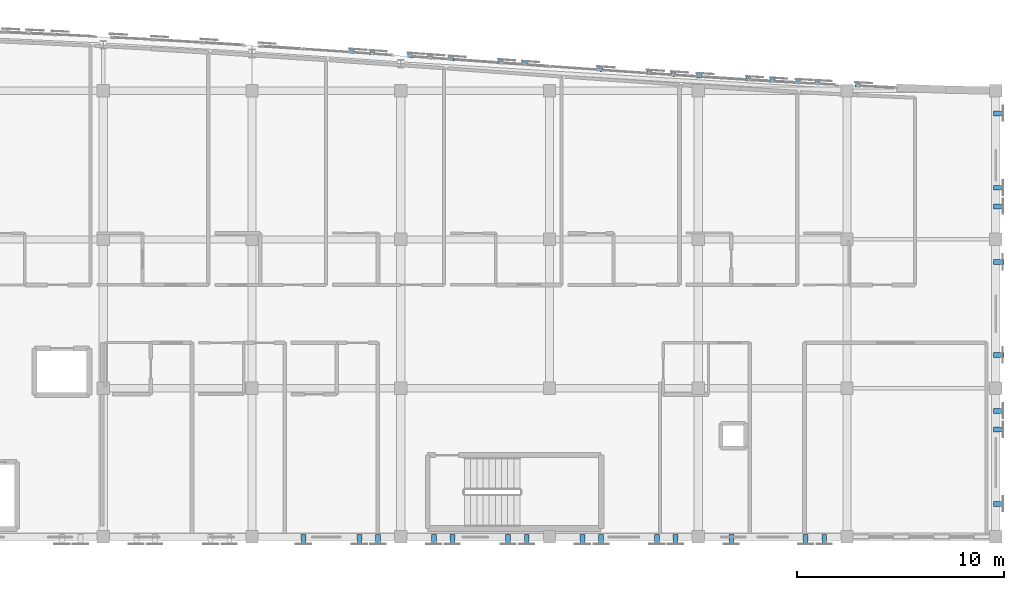
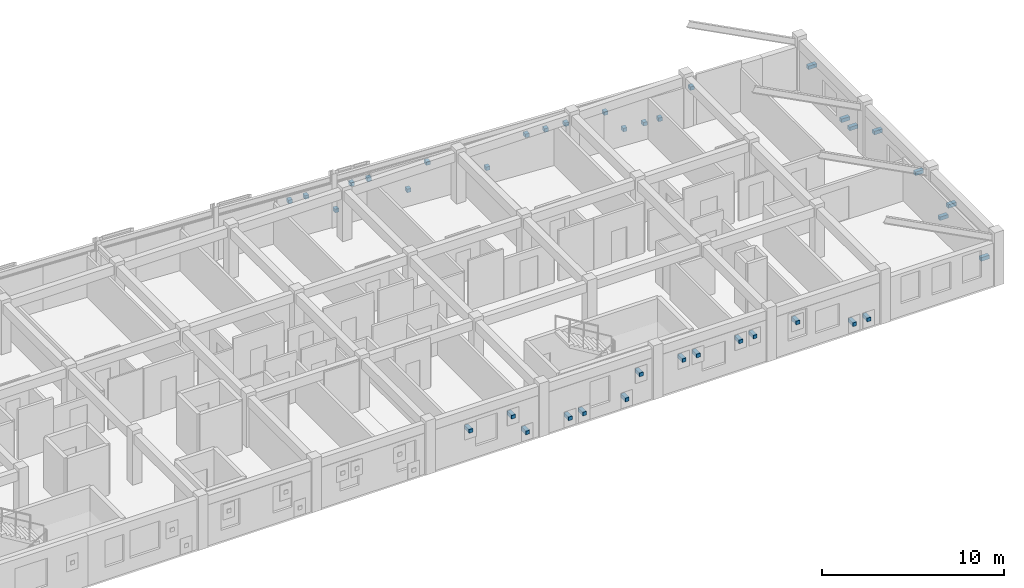
# One storey, part 49 of 51: 38 discrete accessories.
"""IFC4 building model written with IfcOpenShell, lengths in metres."""

import ifcopenshell
import ifcopenshell.guid

model = None  # the IFC model being written
_history = None  # IfcOwnerHistory: only IFC2X3 demands one
_inside = {}  # id of a spatial element -> (the spatial element, [elements in it])
_under = {}  # id of a project, library or spatial element -> (it, [spatial elements below it])
_declared = {}  # id of a project -> (the project, [libraries it declares])
_typed = {}  # id of a type object -> (the type object, [elements of that type])
_made_of = {}  # id of a material, layer set ... -> (it, [elements and type objects made of it])


def new_model(schema):
    """Start an empty IFC model of exactly this schema.

    Asked for "IFC4X3", IfcOpenShell would pick the latest addendum, in which some entities
    have other attributes; the version numbers below select the first issue.
    IFC2X3 requires an IfcOwnerHistory on every rooted entity: one is made here for all.
    """
    global model, _history
    if schema == "IFC4X3":
        model = ifcopenshell.file(schema_version=(4, 3, 0, 0))
    else:
        model = ifcopenshell.file(schema=schema)
    _inside.clear()
    _under.clear()
    _declared.clear()
    _typed.clear()
    _made_of.clear()
    _history = None
    if model.schema == "IFC2X3":
        org = make("IfcOrganization", Name="unknown")
        user = make(
            "IfcPersonAndOrganization",
            ThePerson=make("IfcPerson", FamilyName="unknown"),
            TheOrganization=org,
        )
        app = make(
            "IfcApplication",
            ApplicationDeveloper=org,
            Version="unknown",
            ApplicationFullName="unknown",
            ApplicationIdentifier="unknown",
        )
        _history = make(
            "IfcOwnerHistory",
            OwningUser=user,
            OwningApplication=app,
            ChangeAction="ADDED",
            CreationDate=0,
        )
    return model


def make(cls, **values):
    """One entity of the class cls with the attributes given. An attribute that is None is left unset."""
    return model.create_entity(
        cls, **{name: value for name, value in values.items() if value is not None}
    )


def rooted(cls, **values):
    """An entity with a GlobalId (a new one), such as an element, a storey or a relation."""
    return make(cls, GlobalId=ifcopenshell.guid.new(), OwnerHistory=_history, **values)


def si_unit(unit_type, name, prefix=None):
    """IfcSIUnit, for example si_unit("LENGTHUNIT", "METRE", prefix="MILLI")."""
    return make("IfcSIUnit", UnitType=unit_type, Prefix=prefix, Name=name)


def assignment(units):
    """IfcUnitAssignment: the units of a project."""
    return None if units is None else make("IfcUnitAssignment", Units=units)


def point(xyz):
    """IfcCartesianPoint."""
    return None if xyz is None else make("IfcCartesianPoint", Coordinates=xyz)


def direction(xyz):
    """IfcDirection."""
    return None if xyz is None else make("IfcDirection", DirectionRatios=xyz)


def frame(location, z_axis=None, x_axis=None):
    """IfcAxis2Placement3D, a coordinate frame: its origin and axes. An axis left out is left unset."""
    return make(
        "IfcAxis2Placement3D",
        Location=point(location),
        Axis=direction(z_axis),
        RefDirection=direction(x_axis),
    )


def frame_2d(location, x_axis=None):
    """IfcAxis2Placement2D, a coordinate frame in the plane: its origin and x axis."""
    return make(
        "IfcAxis2Placement2D", Location=point(location), RefDirection=direction(x_axis)
    )


def origin():
    """The frame at (0, 0, 0) with its axes left unset."""
    return frame((0.0, 0.0, 0.0))


def origin_2d():
    """The frame at (0, 0) in the plane with its x axis left unset."""
    return frame_2d((0.0, 0.0))


def place(relative_to, where):
    """IfcLocalPlacement: puts the frame where relative to a parent placement (None: the world)."""
    return make(
        "IfcLocalPlacement", PlacementRelTo=relative_to, RelativePlacement=where
    )


def context(
    kind, dimensions, precision=None, world=None, true_north=None, identifier=None
):
    """IfcGeometricRepresentationContext, for example the 3D "Model" context."""
    return make(
        "IfcGeometricRepresentationContext",
        ContextIdentifier=identifier,
        ContextType=kind,
        CoordinateSpaceDimension=dimensions,
        Precision=precision,
        WorldCoordinateSystem=world,
        TrueNorth=true_north,
    )


def subcontext(parent, identifier, kind, view, scale=None):
    """IfcGeometricRepresentationSubContext, for example "Body" below "Model"."""
    return make(
        "IfcGeometricRepresentationSubContext",
        ContextIdentifier=identifier,
        ContextType=kind,
        ParentContext=parent,
        TargetScale=scale,
        TargetView=view,
    )


def project(units=None, contexts=None):
    """IfcProject with its units and contexts."""
    return rooted(
        "IfcProject",
        Name="project",
        RepresentationContexts=contexts,
        UnitsInContext=assignment(units),
    )


def spatial(cls, under=None, at=None, **own):
    """A site, building, storey or space (cls), placed at a placement, below another one or the project."""
    s = rooted(cls, ObjectPlacement=at, **own)
    if under is not None:
        _under.setdefault(under.id(), (under, []))[1].append(s)
    return s


def profile(cls, at=None, kind="AREA", **sizes):
    """A parametric profile (cls). Its sizes go by their IFC names, for example OverallWidth=200.0."""
    return make(cls, ProfileType=kind, Position=at, **sizes)


def rectangle(**sizes):
    """IfcRectangleProfileDef."""
    return profile("IfcRectangleProfileDef", **sizes)


def extrude(swept, where, along, depth):
    """IfcExtrudedAreaSolid: the profile swept, set in the frame where, extruded along a direction by depth."""
    return make(
        "IfcExtrudedAreaSolid",
        SweptArea=swept,
        Position=where,
        ExtrudedDirection=direction(along),
        Depth=depth,
    )


def shape(context_of_items, identifier, shape_type, items):
    """IfcShapeRepresentation: the items that make up one representation, for example the "Body"."""
    return make(
        "IfcShapeRepresentation",
        ContextOfItems=context_of_items,
        RepresentationIdentifier=identifier,
        RepresentationType=shape_type,
        Items=items,
    )


def material(Name=None, Category=None):
    """IfcMaterial."""
    return make("IfcMaterial", Name=Name, Category=Category)


def made_of(thing, what):
    """Note that an element or type object is made of a material, layer set ...; save() writes the relation."""
    if what is not None:
        _made_of.setdefault(what.id(), (what, []))[1].append(thing)
    return thing


def type_object(cls, material=None, **own):
    """A type object (cls), such as IfcWallType, which elements share."""
    return made_of(rooted(cls, **own), material)


def element(
    cls,
    number,
    at=None,
    inside=None,
    cuts=None,
    type_object=None,
    material=None,
    context=None,
    identifier="Body",
    shape_type=None,
    held_by="IfcProductDefinitionShape",
    body=None,
    shapes=None,
    **own,
):
    """One element of the class cls, such as IfcWall. Its Tag is "e" and its number.

    at: its placement. inside: the storey or other place that contains it. cuts: it is an
    opening in that element (IfcRelVoidsElement). A single representation is given by context,
    identifier, shape_type and body (its items); several are given by shapes. held_by: the class
    of the entity that holds the representations. save() writes the other relations.
    """
    e = rooted(cls, Tag="e%d" % number, ObjectPlacement=at, **own)
    if body is not None:
        shapes = [shape(context, identifier, shape_type, body)]
    if shapes is not None:
        e.Representation = make(held_by, Representations=shapes)
    if inside is not None:
        _inside.setdefault(inside.id(), (inside, []))[1].append(e)
    if cuts is not None:
        rooted(
            "IfcRelVoidsElement", RelatingBuildingElement=cuts, RelatedOpeningElement=e
        )
    if type_object is not None:
        _typed.setdefault(type_object.id(), (type_object, []))[1].append(e)
    return made_of(e, material)


def aggregate(whole, parts):
    """IfcRelAggregates: a whole, such as a stair, and the parts it consists of."""
    return rooted("IfcRelAggregates", RelatingObject=whole, RelatedObjects=parts)


def save(model, path):
    """Write the relations noted so far, then the file.

    IfcRelAggregates (storeys below a building ...), IfcRelContainedInSpatialStructure (elements
    in a storey), IfcRelDefinesByType, IfcRelAssociatesMaterial and IfcRelDeclares: one each for
    every whole, place, type object, material and project.
    """
    for whole, parts in _under.values():
        aggregate(whole, parts)
    for where, things in _inside.values():
        rooted(
            "IfcRelContainedInSpatialStructure",
            RelatedElements=things,
            RelatingStructure=where,
        )
    for kind, things in _typed.values():
        rooted("IfcRelDefinesByType", RelatedObjects=things, RelatingType=kind)
    for what, things in _made_of.values():
        rooted("IfcRelAssociatesMaterial", RelatedObjects=things, RelatingMaterial=what)
    for by, libraries in _declared.values():
        rooted("IfcRelDeclares", RelatingContext=by, RelatedDefinitions=libraries)
    model.write(path)


model = new_model("IFC4")

# Units and contexts
model_context = context("Model", 3, precision=1e-05, world=origin(), true_north=direction((0.0, 1.0)))
body_context = subcontext(model_context, "Body", "Model", "MODEL_VIEW")
ifc_project = project(units=[si_unit("LENGTHUNIT", "METRE"), si_unit("AREAUNIT", "SQUARE_METRE"), si_unit("VOLUMEUNIT", "CUBIC_METRE"), si_unit("PLANEANGLEUNIT", "RADIAN"), si_unit("MASSUNIT", "GRAM", prefix="KILO")], contexts=[model_context])

# Site, building, storey
site_placement = place(None, origin())
site = spatial("IfcSite", under=ifc_project, at=site_placement, CompositionType="ELEMENT")
building_placement = place(site_placement, origin())
building = spatial("IfcBuilding", under=site, at=building_placement, Name="Carrowvane Square Congress Hotel", CompositionType="ELEMENT")
storey_placement = place(building_placement, frame((0.0, 0.0, 30.0)))
storey = spatial("IfcBuildingStorey", under=building, at=storey_placement, Name="L07", CompositionType="ELEMENT", Elevation=30.0)

# Discrete accessories
ifc_material = material(Name="Stainless steel 316", Category="steel")
discrete_accessory_type = type_object("IfcDiscreteAccessoryType", Name="ACC-BRK-SS", PredefinedType="BRACKET", material=ifc_material)
for number, where, z_axis, x_axis, name in (
    (1, (131.635498046875, 115.331298828125, 2.02978515625), (0.0, 0.0, 1.0), (0.997566258056, -0.069724893606, 0.0), "Pixel screen mullion bracket 679"),
    (2, (132.626953125, 115.26220703125, 2.02978515625), (0.0, 0.0, 1.0), (0.997566258056, -0.069724893606, 0.0), "Pixel screen mullion bracket 680"),
    (3, (134.451171875, 115.134033203125, 0.56005859375), (0.0, 0.0, 1.0), (0.997479379392, -0.070956942496, 0.0), "Pixel screen mullion bracket 681"),
    (4, (135.410888671875, 115.065673828125, 2.02978515625), (0.0, 0.0, 1.0), (0.997479379392, -0.070956942496, 0.0), "Pixel screen mullion bracket 682"),
    (5, (136.435546875, 114.992919921875, 2.02978515625), (0.0, 0.0, 1.0), (0.997438267187, -0.071532532122, 0.0), "Pixel screen mullion bracket 683"),
    (6, (138.840576171875, 114.8203125, 0.56005859375), (0.0, 0.0, 1.0), (0.997446326449, -0.071420066188, 0.0), "Pixel screen mullion bracket 684"),
    (7, (140.005615234375, 114.737060546875, 2.02978515625), (0.0, 0.0, 1.0), (0.997446326449, -0.071420066188, 0.0), "Pixel screen mullion bracket 685"),
    (8, (143.640380859375, 114.478759765625, 0.56005859375), (0.0, 0.0, 1.0), (0.99761759323, -0.068986503591, 0.0), "Pixel screen mullion bracket 686"),
    (9, (146.03515625, 114.313232421875, 2.02978515625), (0.0, 0.0, 1.0), (0.997781458784, -0.066574473385, 0.0), "Pixel screen mullion bracket 687"),
    (10, (147.205322265625, 114.2353515625, 2.02978515625), (0.0, 0.0, 1.0), (0.997781458784, -0.066574473385, 0.0), "Pixel screen mullion bracket 688"),
    (11, (148.43994140625, 114.153076171875, 2.02978515625), (0.0, 0.0, 1.0), (0.997996022269, -0.063276690295, 0.0), "Pixel screen mullion bracket 689"),
    (12, (150.834716796875, 114.001220703125, 2.02978515625), (0.0, 0.0, 1.0), (0.998258866948, -0.05898503675, 0.0), "Pixel screen mullion bracket 690"),
    (13, (152.004638671875, 113.93212890625, 0.56005859375), (0.0, 0.0, 1.0), (0.998258866948, -0.05898503675, 0.0), "Pixel screen mullion bracket 691"),
    (14, (153.2392578125, 113.859375, 0.56005859375), (0.0, 0.0, 1.0), (0.998566941363, -0.053516947007, 0.0), "Pixel screen mullion bracket 692"),
    (15, (154.172607421875, 113.809326171875, 0.56005859375), (0.0, 0.0, 1.0), (0.998566941363, -0.053516947007, 0.0), "Pixel screen mullion bracket 693"),
    (16, (156.122314453125, 113.70849609375, 2.02978515625), (0.0, 0.0, 1.0), (0.99891730083, -0.046521243556, 0.0), "Pixel screen mullion bracket 694"),
):
    element("IfcDiscreteAccessory", number, at=place(storey_placement, frame(where, z_axis=z_axis, x_axis=x_axis)), inside=storey, type_object=discrete_accessory_type, Name=name, PredefinedType="BRACKET", context=body_context, shape_type="SweptSolid", body=[
        extrude(rectangle(XDim=0.239990234375, YDim=0.280029296875, at=origin_2d()), origin(), (0.0, 0.0, 1.0), 0.239990234375),
    ])
for number, where, z_axis, x_axis, name in (
    (17, (162.93994140625, 112.300048828125, 1.9248046875), (0.0, 0.0, 1.0), (0.0, -1.0, 0.0), "V5 pixel screen bracket 695"),
    (18, (162.93994140625, 108.699951171875, 0.56005859375), (0.0, 0.0, 1.0), (0.0, -1.0, 0.0), "V5 pixel screen bracket 696"),
    (19, (162.93994140625, 107.800048828125, 0.56005859375), (0.0, 0.0, 1.0), (0.0, -1.0, 0.0), "V5 pixel screen bracket 697"),
    (20, (162.93994140625, 105.10009765625, 1.9248046875), (0.0, 0.0, 1.0), (0.0, -1.0, 0.0), "V5 pixel screen bracket 698"),
    (21, (162.93994140625, 100.60009765625, 1.9248046875), (0.0, 0.0, 1.0), (0.0, -1.0, 0.0), "V5 pixel screen bracket 699"),
    (22, (162.93994140625, 97.89990234375, 0.56005859375), (0.0, 0.0, 1.0), (0.0, -1.0, 0.0), "V5 pixel screen bracket 700"),
    (23, (162.93994140625, 97.0, 1.9248046875), (0.0, 0.0, 1.0), (0.0, -1.0, 0.0), "V5 pixel screen bracket 701"),
    (24, (162.93994140625, 93.39990234375, 0.56005859375), (0.0, 0.0, 1.0), (0.0, -1.0, 0.0), "V5 pixel screen bracket 702"),
    (25, (154.5, 91.659912109375, 0.56005859375), (0.0, 0.0, 1.0), (-1.0, 0.0, 0.0), "V5 pixel screen bracket 703"),
    (26, (153.60009765625, 91.659912109375, 0.56005859375), (0.0, 0.0, 1.0), (-1.0, 0.0, 0.0), "V5 pixel screen bracket 704"),
    (27, (150.0, 91.659912109375, 1.93017578125), (0.0, 0.0, 1.0), (-1.0, 0.0, 0.0), "V5 pixel screen bracket 705"),
    (28, (147.300048828125, 91.659912109375, 1.93017578125), (0.0, 0.0, 1.0), (-1.0, 0.0, 0.0), "V5 pixel screen bracket 706"),
    (29, (146.39990234375, 91.659912109375, 1.93017578125), (0.0, 0.0, 1.0), (-1.0, 0.0, 0.0), "V5 pixel screen bracket 707"),
    (30, (143.699951171875, 91.659912109375, 1.93017578125), (0.0, 0.0, 1.0), (-1.0, 0.0, 0.0), "V5 pixel screen bracket 708"),
    (31, (142.800048828125, 91.659912109375, 1.93017578125), (0.0, 0.0, 1.0), (-1.0, 0.0, 0.0), "V5 pixel screen bracket 709"),
    (32, (140.10009765625, 91.659912109375, 1.93017578125), (0.0, 0.0, 1.0), (-1.0, 0.0, 0.0), "V5 pixel screen bracket 710"),
    (33, (139.199951171875, 91.659912109375, 0.56005859375), (0.0, 0.0, 1.0), (-1.0, 0.0, 0.0), "V5 pixel screen bracket 711"),
    (34, (136.5, 91.659912109375, 0.56005859375), (0.0, 0.0, 1.0), (-1.0, 0.0, 0.0), "V5 pixel screen bracket 712"),
    (35, (135.60009765625, 91.659912109375, 0.56005859375), (0.0, 0.0, 1.0), (-1.0, 0.0, 0.0), "V5 pixel screen bracket 713"),
    (36, (132.89990234375, 91.659912109375, 0.56005859375), (0.0, 0.0, 1.0), (-1.0, 0.0, 0.0), "V5 pixel screen bracket 714"),
    (37, (132.0, 91.659912109375, 1.93017578125), (0.0, 0.0, 1.0), (-1.0, 0.0, 0.0), "V5 pixel screen bracket 715"),
    (38, (129.300048828125, 91.659912109375, 1.93017578125), (0.0, 0.0, 1.0), (-1.0, 0.0, 0.0), "V5 pixel screen bracket 716"),
):
    element("IfcDiscreteAccessory", number, at=place(storey_placement, frame(where, z_axis=z_axis, x_axis=x_axis)), inside=storey, type_object=discrete_accessory_type, Name=name, PredefinedType="BRACKET", context=body_context, shape_type="SweptSolid", body=[
        extrude(rectangle(XDim=0.239990234375, YDim=0.52001953125, at=origin_2d()), origin(), (0.0, 0.0, 1.0), 0.239990234375),
    ])

save(model, "model.ifc")
